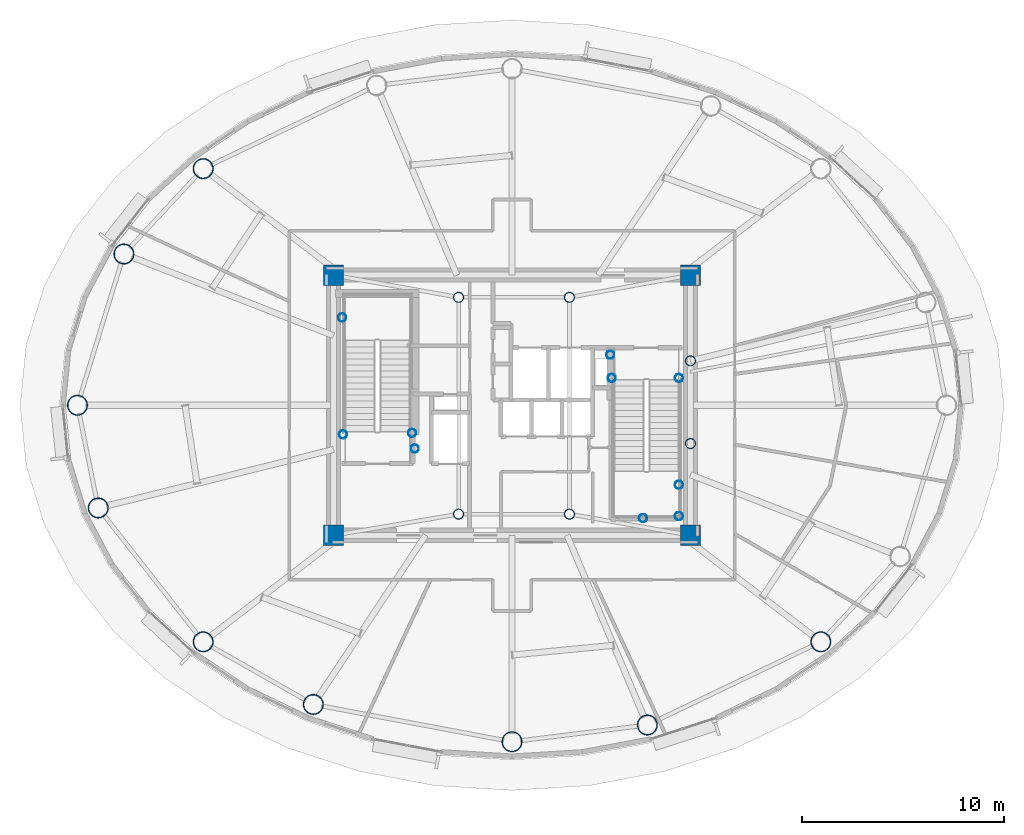
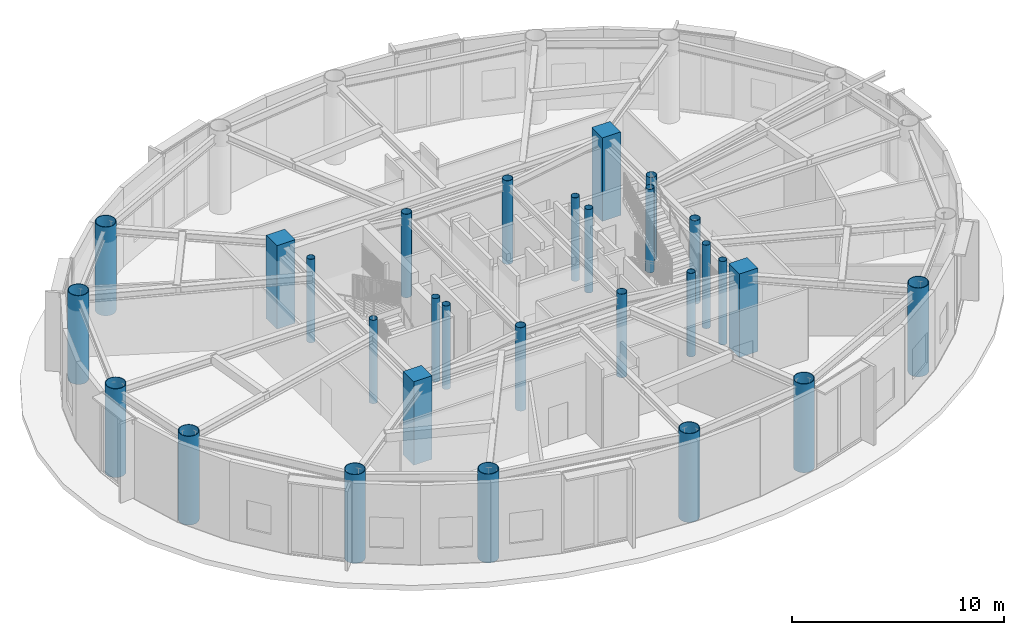
# One storey, part 1 of 32: 29 columns.
"""IFC4 building model written with IfcOpenShell, lengths in metres."""

from ifc_helpers import new_model, si_unit, direction, frame, origin, origin_2d, place, context, subcontext, project, spatial, rectangle, hollow_circle, extrude, material, material_profile, profile_set, type_object, element, save


model = new_model("IFC4")

# Units and contexts
model_context = context("Model", 3, precision=1e-05, world=origin(), true_north=direction((0.0, 1.0)))
body_context = subcontext(model_context, "Body", "Model", "MODEL_VIEW")
ifc_project = project(units=[si_unit("LENGTHUNIT", "METRE"), si_unit("AREAUNIT", "SQUARE_METRE"), si_unit("VOLUMEUNIT", "CUBIC_METRE"), si_unit("PLANEANGLEUNIT", "RADIAN"), si_unit("MASSUNIT", "GRAM", prefix="KILO")], contexts=[model_context])

# Site, building, storey
site_placement = place(None, origin())
site = spatial("IfcSite", under=ifc_project, at=site_placement, CompositionType="ELEMENT")
building_placement = place(site_placement, origin())
building = spatial("IfcBuilding", under=site, at=building_placement, Name="Linh Dai School and Residence Tower", CompositionType="ELEMENT")
storey_placement = place(building_placement, frame((0.0, 0.0, 268.199951171875)))
storey = spatial("IfcBuildingStorey", under=building, at=storey_placement, Name="L66", CompositionType="ELEMENT", Elevation=268.199951171875)

# Columns
ifc_material_1 = material(Name="Concrete B45 (C35/45)", Category="concrete")
ifc_material_profile_1 = material_profile(ifc_material_1, rectangle(XDim=1.0, YDim=1.0, at=origin_2d()), Name="RC 1000x1000")
ifc_profile_set_1 = profile_set([ifc_material_profile_1], Name="Concrete B45 (C35/45)")
column_type_1 = type_object("IfcColumnType", Name="COL-CC3", PredefinedType="COLUMN", material=ifc_profile_set_1)
for number, where, z_axis, x_axis, name in (
    (1, (27.14990234375, 20.550048828125, 0.0), (0.0, 0.0, 1.0), (1.0, 0.0, 0.0), "L66 Core Corner Pier CC1"),
    (2, (44.85009765625, 20.550048828125, 0.0), (0.0, 0.0, 1.0), (1.0, 0.0, 0.0), "L66 Core Corner Pier CC2"),
    (3, (44.85009765625, 33.449951171875, 0.0), (0.0, 0.0, 1.0), (1.0, 0.0, 0.0), "L66 Core Corner Pier CC3"),
    (4, (27.14990234375, 33.449951171875, 0.0), (0.0, 0.0, 1.0), (1.0, 0.0, 0.0), "L66 Core Corner Pier CC4"),
):
    element("IfcColumn", number, at=place(storey_placement, frame(where, z_axis=z_axis, x_axis=x_axis)), inside=storey, type_object=column_type_1, Name=name, PredefinedType="COLUMN", context=body_context, shape_type="SweptSolid", body=[
        extrude(rectangle(XDim=1.0, YDim=1.0, at=origin_2d()), origin(), (0.0, 0.0, 1.0), 4.800048828125),
    ])
ifc_material_2 = material(Name="Structural Steel S355JR", Category="steel")
ifc_material_profile_2 = material_profile(ifc_material_2, hollow_circle(Radius=0.203125, WallThickness=0.01611328125, at=origin_2d()), Name="CHS 406.4x16")
ifc_profile_set_2 = profile_set([ifc_material_profile_2], Name="Structural Steel S355JR")
column_type_2 = type_object("IfcColumnType", Name="COL-EC", PredefinedType="COLUMN", material=ifc_profile_set_2)
for number, where, z_axis, x_axis, name in (
    (5, (27.580078125, 31.35009765625, 0.0), (0.0, 0.0, 1.0), (1.0, 0.0, 0.0), "L66 Stair Shaft Landing Support Pier ST1NW"),
    (6, (31.050048828125, 25.6201171875, 0.0), (0.0, 0.0, 1.0), (1.0, 0.0, 0.0), "L66 Stair Shaft Landing Support Pier ST1SE"),
    (7, (31.179931640625, 24.85009765625, 0.0), (0.0, 0.0, 1.0), (1.0, 0.0, 0.0), "L66 Stair Shaft Landing Support Pier ST1SM"),
    (8, (27.6201171875, 25.550048828125, 0.0), (0.0, 0.0, 1.0), (1.0, 0.0, 0.0), "L66 Stair Shaft Landing Support Pier ST1SW"),
    (9, (44.280029296875, 21.5, 0.0), (0.0, 0.0, 1.0), (1.0, 0.0, 0.0), "L66 Stair Shaft Landing Support Pier ST2SE"),
    (10, (44.280029296875, 23.050048828125, 0.0), (0.0, 0.0, 1.0), (1.0, 0.0, 0.0), "L66 Stair Shaft Landing Support Pier ST2NE"),
    (11, (42.5, 21.39990234375, 0.0), (0.0, 0.0, 1.0), (1.0, 0.0, 0.0), "L66 Stair Shaft Landing Support Pier ST2MS"),
    (12, (40.949951171875, 28.35009765625, 0.0), (0.0, 0.0, 1.0), (1.0, 0.0, 0.0), "L66 Stair Shaft Landing Support Pier ST2N1"),
    (13, (44.280029296875, 28.35009765625, 0.0), (0.0, 0.0, 1.0), (1.0, 0.0, 0.0), "L66 Stair Shaft Landing Support Pier ST2N2"),
    (14, (40.8798828125, 29.5, 0.0), (0.0, 0.0, 1.0), (1.0, 0.0, 0.0), "L66 Stair Shaft Landing Support Pier ST2N3"),
):
    element("IfcColumn", number, at=place(storey_placement, frame(where, z_axis=z_axis, x_axis=x_axis)), inside=storey, type_object=column_type_2, Name=name, PredefinedType="COLUMN", context=body_context, shape_type="SweptSolid", body=[
        extrude(hollow_circle(Radius=0.203125, WallThickness=0.01611328125, at=origin_2d()), origin(), (0.0, 0.0, 1.0), 4.800048828125),
    ])
ifc_material_profile_3 = material_profile(ifc_material_2, hollow_circle(Radius=0.5, WallThickness=0.031982421875, at=origin_2d()), Name="CHS 1000x32")
ifc_profile_set_3 = profile_set([ifc_material_profile_3], Name="Structural Steel S355JR")
column_type_3 = type_object("IfcColumnType", Name="COL-MC6", PredefinedType="COLUMN", material=ifc_profile_set_3)
for number, where, z_axis, x_axis, name in (
    (15, (20.684814453125, 38.7333984375, -0.300048828125), (0.0, 0.0, 1.0), (1.0, 0.0, 0.0), "L66 Perimeter CFT Mega-Column MC07"),
    (16, (16.75390625, 34.49951171875, -0.300048828125), (0.0, 0.0, 1.0), (1.0, 0.0, 0.0), "L66 Perimeter CFT Mega-Column MC08"),
    (17, (14.449951171875, 27.0, -0.300048828125), (0.0, 0.0, 1.0), (1.0, 0.0, 0.0), "L66 Perimeter CFT Mega-Column MC09"),
    (18, (15.4814453125, 21.905517578125, -0.300048828125), (0.0, 0.0, 1.0), (1.0, 0.0, 0.0), "L66 Perimeter CFT Mega-Column MC10"),
    (19, (20.684814453125, 15.2666015625, -0.300048828125), (0.0, 0.0, 1.0), (1.0, 0.0, 0.0), "L66 Perimeter CFT Mega-Column MC11"),
    (20, (26.1455078125, 12.1611328125, -0.300048828125), (0.0, 0.0, 1.0), (1.0, 0.0, 0.0), "L66 Perimeter CFT Mega-Column MC12"),
    (21, (36.0, 10.31005859375, -0.300048828125), (0.0, 0.0, 1.0), (1.0, 0.0, 0.0), "L66 Perimeter CFT Mega-Column MC13"),
    (22, (42.71240234375, 11.142333984375, -0.300048828125), (0.0, 0.0, 1.0), (1.0, 0.0, 0.0), "L66 Perimeter CFT Mega-Column MC14"),
    (23, (51.315185546875, 15.2666015625, -0.300048828125), (0.0, 0.0, 1.0), (1.0, 0.0, 0.0), "L66 Perimeter CFT Mega-Column MC15"),
):
    element("IfcColumn", number, at=place(storey_placement, frame(where, z_axis=z_axis, x_axis=x_axis)), inside=storey, type_object=column_type_3, Name=name, PredefinedType="COLUMN", context=body_context, shape_type="SweptSolid", body=[
        extrude(hollow_circle(Radius=0.5, WallThickness=0.031982421875, at=origin_2d()), origin(), (0.0, 0.0, 1.0), 5.10009765625),
    ])
ifc_material_profile_4 = material_profile(ifc_material_2, hollow_circle(Radius=0.25390625, WallThickness=0.02001953125, at=origin_2d()), Name="CHS 508x20")
ifc_profile_set_4 = profile_set([ifc_material_profile_4], Name="Structural Steel S355JR")
column_type_4 = type_object("IfcColumnType", Name="COL-MCP", PredefinedType="COLUMN", material=ifc_profile_set_4)
for number, where, z_axis, x_axis, name in (
    (24, (33.35009765625, 21.60009765625, 0.0), (0.0, 0.0, 1.0), (1.0, 0.0, 0.0), "L66 Core Mast Support Pier MCP1"),
    (25, (38.85009765625, 21.60009765625, 0.0), (0.0, 0.0, 1.0), (1.0, 0.0, 0.0), "L66 Core Mast Support Pier MCP2"),
    (26, (38.85009765625, 32.35009765625, 0.0), (0.0, 0.0, 1.0), (1.0, 0.0, 0.0), "L66 Core Mast Support Pier MCP3"),
    (27, (33.35009765625, 32.35009765625, 0.0), (0.0, 0.0, 1.0), (1.0, 0.0, 0.0), "L66 Core Mast Support Pier MCP4"),
    (28, (44.85009765625, 25.10009765625, 0.0), (0.0, 0.0, 1.0), (1.0, 0.0, 0.0), "L66 Sky-Lounge Core Anchor Pier S"),
    (29, (44.85009765625, 29.199951171875, 0.0), (0.0, 0.0, 1.0), (1.0, 0.0, 0.0), "L66 Sky-Lounge Core Anchor Pier N"),
):
    element("IfcColumn", number, at=place(storey_placement, frame(where, z_axis=z_axis, x_axis=x_axis)), inside=storey, type_object=column_type_4, Name=name, PredefinedType="COLUMN", context=body_context, shape_type="SweptSolid", body=[
        extrude(hollow_circle(Radius=0.25390625, WallThickness=0.02001953125, at=origin_2d()), origin(), (0.0, 0.0, 1.0), 4.800048828125),
    ])

save(model, "model.ifc")
